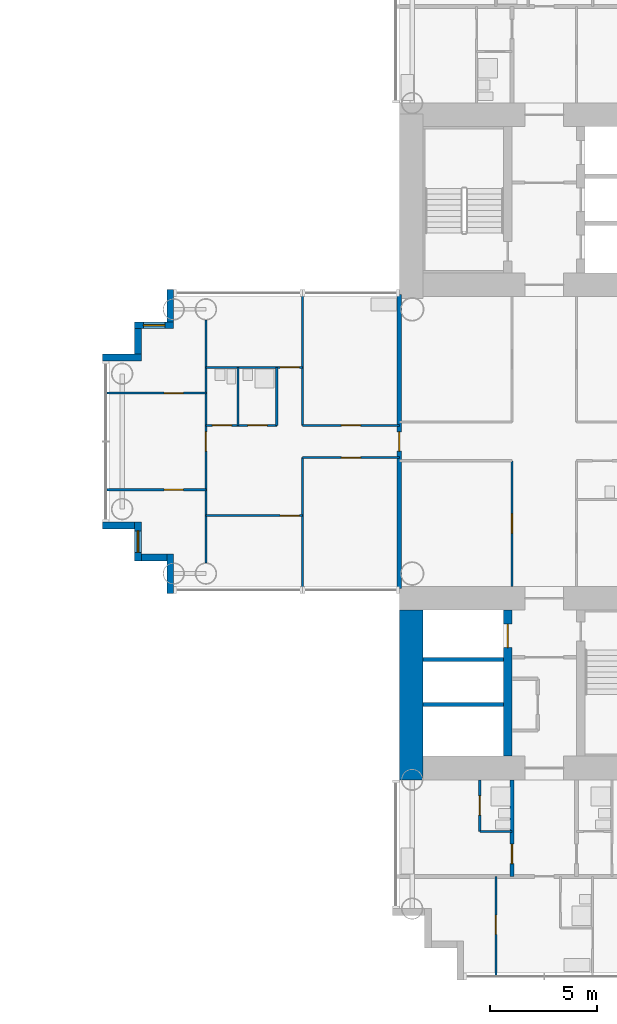
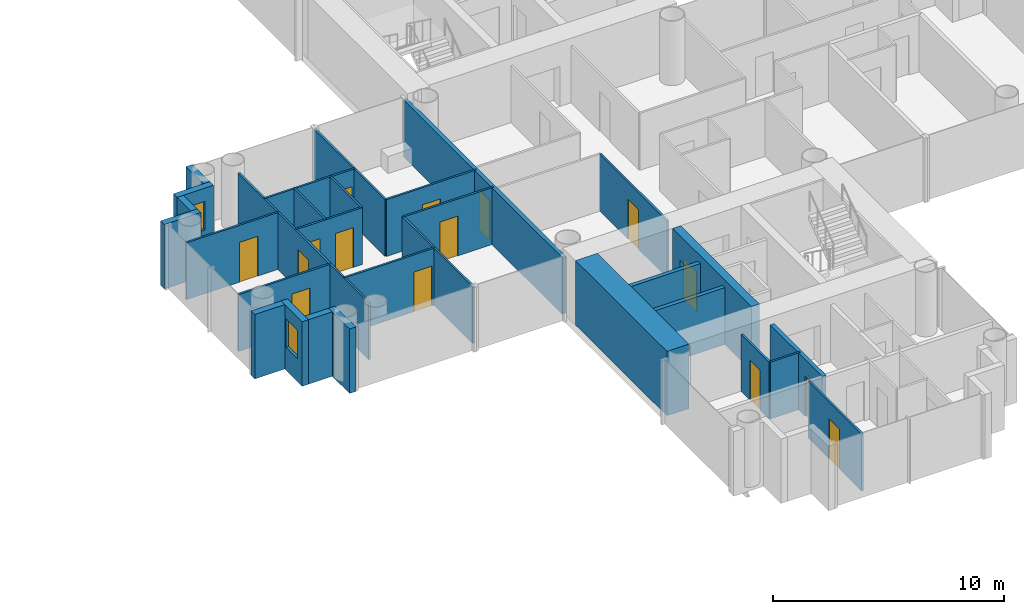
# One storey, part 13 of 22: 30 walls, 15 doors, 2 windows, 17 openings.
"""IFC4 building model written with IfcOpenShell, lengths in metres."""

import ifcopenshell
import ifcopenshell.guid

model = None  # the IFC model being written
_history = None  # IfcOwnerHistory: only IFC2X3 demands one
_inside = {}  # id of a spatial element -> (the spatial element, [elements in it])
_under = {}  # id of a project, library or spatial element -> (it, [spatial elements below it])
_declared = {}  # id of a project -> (the project, [libraries it declares])
_typed = {}  # id of a type object -> (the type object, [elements of that type])
_made_of = {}  # id of a material, layer set ... -> (it, [elements and type objects made of it])


def new_model(schema):
    """Start an empty IFC model of exactly this schema.

    Asked for "IFC4X3", IfcOpenShell would pick the latest addendum, in which some entities
    have other attributes; the version numbers below select the first issue.
    IFC2X3 requires an IfcOwnerHistory on every rooted entity: one is made here for all.
    """
    global model, _history
    if schema == "IFC4X3":
        model = ifcopenshell.file(schema_version=(4, 3, 0, 0))
    else:
        model = ifcopenshell.file(schema=schema)
    _inside.clear()
    _under.clear()
    _declared.clear()
    _typed.clear()
    _made_of.clear()
    _history = None
    if model.schema == "IFC2X3":
        org = make("IfcOrganization", Name="unknown")
        user = make(
            "IfcPersonAndOrganization",
            ThePerson=make("IfcPerson", FamilyName="unknown"),
            TheOrganization=org,
        )
        app = make(
            "IfcApplication",
            ApplicationDeveloper=org,
            Version="unknown",
            ApplicationFullName="unknown",
            ApplicationIdentifier="unknown",
        )
        _history = make(
            "IfcOwnerHistory",
            OwningUser=user,
            OwningApplication=app,
            ChangeAction="ADDED",
            CreationDate=0,
        )
    return model


def make(cls, **values):
    """One entity of the class cls with the attributes given. An attribute that is None is left unset."""
    return model.create_entity(
        cls, **{name: value for name, value in values.items() if value is not None}
    )


def rooted(cls, **values):
    """An entity with a GlobalId (a new one), such as an element, a storey or a relation."""
    return make(cls, GlobalId=ifcopenshell.guid.new(), OwnerHistory=_history, **values)


def si_unit(unit_type, name, prefix=None):
    """IfcSIUnit, for example si_unit("LENGTHUNIT", "METRE", prefix="MILLI")."""
    return make("IfcSIUnit", UnitType=unit_type, Prefix=prefix, Name=name)


def assignment(units):
    """IfcUnitAssignment: the units of a project."""
    return None if units is None else make("IfcUnitAssignment", Units=units)


def point(xyz):
    """IfcCartesianPoint."""
    return None if xyz is None else make("IfcCartesianPoint", Coordinates=xyz)


def direction(xyz):
    """IfcDirection."""
    return None if xyz is None else make("IfcDirection", DirectionRatios=xyz)


def frame(location, z_axis=None, x_axis=None):
    """IfcAxis2Placement3D, a coordinate frame: its origin and axes. An axis left out is left unset."""
    return make(
        "IfcAxis2Placement3D",
        Location=point(location),
        Axis=direction(z_axis),
        RefDirection=direction(x_axis),
    )


def frame_2d(location, x_axis=None):
    """IfcAxis2Placement2D, a coordinate frame in the plane: its origin and x axis."""
    return make(
        "IfcAxis2Placement2D", Location=point(location), RefDirection=direction(x_axis)
    )


def origin():
    """The frame at (0, 0, 0) with its axes left unset."""
    return frame((0.0, 0.0, 0.0))


def place(relative_to, where):
    """IfcLocalPlacement: puts the frame where relative to a parent placement (None: the world)."""
    return make(
        "IfcLocalPlacement", PlacementRelTo=relative_to, RelativePlacement=where
    )


def context(
    kind, dimensions, precision=None, world=None, true_north=None, identifier=None
):
    """IfcGeometricRepresentationContext, for example the 3D "Model" context."""
    return make(
        "IfcGeometricRepresentationContext",
        ContextIdentifier=identifier,
        ContextType=kind,
        CoordinateSpaceDimension=dimensions,
        Precision=precision,
        WorldCoordinateSystem=world,
        TrueNorth=true_north,
    )


def subcontext(parent, identifier, kind, view, scale=None):
    """IfcGeometricRepresentationSubContext, for example "Body" below "Model"."""
    return make(
        "IfcGeometricRepresentationSubContext",
        ContextIdentifier=identifier,
        ContextType=kind,
        ParentContext=parent,
        TargetScale=scale,
        TargetView=view,
    )


def project(units=None, contexts=None):
    """IfcProject with its units and contexts."""
    return rooted(
        "IfcProject",
        Name="project",
        RepresentationContexts=contexts,
        UnitsInContext=assignment(units),
    )


def spatial(cls, under=None, at=None, **own):
    """A site, building, storey or space (cls), placed at a placement, below another one or the project."""
    s = rooted(cls, ObjectPlacement=at, **own)
    if under is not None:
        _under.setdefault(under.id(), (under, []))[1].append(s)
    return s


def profile(cls, at=None, kind="AREA", **sizes):
    """A parametric profile (cls). Its sizes go by their IFC names, for example OverallWidth=200.0."""
    return make(cls, ProfileType=kind, Position=at, **sizes)


def rectangle(**sizes):
    """IfcRectangleProfileDef."""
    return profile("IfcRectangleProfileDef", **sizes)


def extrude(swept, where, along, depth):
    """IfcExtrudedAreaSolid: the profile swept, set in the frame where, extruded along a direction by depth."""
    return make(
        "IfcExtrudedAreaSolid",
        SweptArea=swept,
        Position=where,
        ExtrudedDirection=direction(along),
        Depth=depth,
    )


def shape(context_of_items, identifier, shape_type, items):
    """IfcShapeRepresentation: the items that make up one representation, for example the "Body"."""
    return make(
        "IfcShapeRepresentation",
        ContextOfItems=context_of_items,
        RepresentationIdentifier=identifier,
        RepresentationType=shape_type,
        Items=items,
    )


def material(Name=None, Category=None):
    """IfcMaterial."""
    return make("IfcMaterial", Name=Name, Category=Category)


def layer(
    of_material, thickness, ventilated=None, Name=None, Category=None, Priority=None
):
    """IfcMaterialLayer: one layer of a wall or slab, of a material (None: an air gap)."""
    return make(
        "IfcMaterialLayer",
        Material=of_material,
        LayerThickness=thickness,
        IsVentilated=ventilated,
        Name=Name,
        Category=Category,
        Priority=Priority,
    )


def layer_set(layers, Name=None):
    """IfcMaterialLayerSet."""
    return make("IfcMaterialLayerSet", MaterialLayers=layers, LayerSetName=Name)


def made_of(thing, what):
    """Note that an element or type object is made of a material, layer set ...; save() writes the relation."""
    if what is not None:
        _made_of.setdefault(what.id(), (what, []))[1].append(thing)
    return thing


def type_object(cls, material=None, **own):
    """A type object (cls), such as IfcWallType, which elements share."""
    return made_of(rooted(cls, **own), material)


def element(
    cls,
    number,
    at=None,
    inside=None,
    cuts=None,
    type_object=None,
    material=None,
    context=None,
    identifier="Body",
    shape_type=None,
    held_by="IfcProductDefinitionShape",
    body=None,
    shapes=None,
    **own,
):
    """One element of the class cls, such as IfcWall. Its Tag is "e" and its number.

    at: its placement. inside: the storey or other place that contains it. cuts: it is an
    opening in that element (IfcRelVoidsElement). A single representation is given by context,
    identifier, shape_type and body (its items); several are given by shapes. held_by: the class
    of the entity that holds the representations. save() writes the other relations.
    """
    e = rooted(cls, Tag="e%d" % number, ObjectPlacement=at, **own)
    if body is not None:
        shapes = [shape(context, identifier, shape_type, body)]
    if shapes is not None:
        e.Representation = make(held_by, Representations=shapes)
    if inside is not None:
        _inside.setdefault(inside.id(), (inside, []))[1].append(e)
    if cuts is not None:
        rooted(
            "IfcRelVoidsElement", RelatingBuildingElement=cuts, RelatedOpeningElement=e
        )
    if type_object is not None:
        _typed.setdefault(type_object.id(), (type_object, []))[1].append(e)
    return made_of(e, material)


def fill(opening, filler):
    """IfcRelFillsElement: the door or window that sits in an opening."""
    return rooted(
        "IfcRelFillsElement",
        RelatingOpeningElement=opening,
        RelatedBuildingElement=filler,
    )


def aggregate(whole, parts):
    """IfcRelAggregates: a whole, such as a stair, and the parts it consists of."""
    return rooted("IfcRelAggregates", RelatingObject=whole, RelatedObjects=parts)


def save(model, path):
    """Write the relations noted so far, then the file.

    IfcRelAggregates (storeys below a building ...), IfcRelContainedInSpatialStructure (elements
    in a storey), IfcRelDefinesByType, IfcRelAssociatesMaterial and IfcRelDeclares: one each for
    every whole, place, type object, material and project.
    """
    for whole, parts in _under.values():
        aggregate(whole, parts)
    for where, things in _inside.values():
        rooted(
            "IfcRelContainedInSpatialStructure",
            RelatedElements=things,
            RelatingStructure=where,
        )
    for kind, things in _typed.values():
        rooted("IfcRelDefinesByType", RelatedObjects=things, RelatingType=kind)
    for what, things in _made_of.values():
        rooted("IfcRelAssociatesMaterial", RelatedObjects=things, RelatingMaterial=what)
    for by, libraries in _declared.values():
        rooted("IfcRelDeclares", RelatingContext=by, RelatedDefinitions=libraries)
    model.write(path)


model = new_model("IFC4")

# Units and contexts
model_context = context("Model", 3, precision=1e-05, world=origin(), true_north=direction((0.0, 1.0)))
body_context = subcontext(model_context, "Body", "Model", "MODEL_VIEW")
ifc_project = project(units=[si_unit("LENGTHUNIT", "METRE"), si_unit("AREAUNIT", "SQUARE_METRE"), si_unit("VOLUMEUNIT", "CUBIC_METRE"), si_unit("PLANEANGLEUNIT", "RADIAN"), si_unit("MASSUNIT", "GRAM", prefix="KILO")], contexts=[model_context])

# Site, building, storey
site_placement = place(None, origin())
site = spatial("IfcSite", under=ifc_project, at=site_placement, CompositionType="ELEMENT")
building_placement = place(site_placement, origin())
building = spatial("IfcBuilding", under=site, at=building_placement, Name="Ipe Terrace Towers", CompositionType="ELEMENT")
storey_placement = place(building_placement, frame((0.0, 0.0, 55.10009765625)))
storey = spatial("IfcBuildingStorey", under=building, at=storey_placement, Name="L14", CompositionType="ELEMENT", Elevation=55.10009765625)

# Wall
ifc_material_1 = material(Name="Concrete C40/50 with buff precast cladding", Category="concrete")
ifc_layer_1 = layer(ifc_material_1, 0.320068359375)
ifc_layer_set_1 = layer_set([ifc_layer_1], Name="BUFF CLADDING WALL 320")
wall_type_1 = type_object("IfcWallType", Name="BUFF CLADDING WALL 320", PredefinedType="STANDARD", material=ifc_layer_set_1)
wall_1_placement = place(storey_placement, frame((18.590087890625, 7.070068359375, -0.300048828125), z_axis=(0.0, 0.0, 1.0), x_axis=(0.0, -1.0, 0.0)))
element("IfcWall", 1, at=wall_1_placement, inside=storey, type_object=wall_type_1, Name="T2-W-L14-34a wall", PredefinedType="STANDARD", context=body_context, shape_type="SweptSolid", body=[
    extrude(rectangle(XDim=1.5, YDim=0.320068359375, at=frame_2d((0.75, 0.0))), origin(), (0.0, 0.0, 1.0), 3.39990234375),
])

# Wall, opening, window
wall_2_placement = place(storey_placement, frame((18.75, 5.409912109375, -0.300048828125), z_axis=(0.0, 0.0, 1.0), x_axis=(-1.0, 0.0, 0.0)))
wall_2 = element("IfcWall", 2, at=wall_2_placement, inside=storey, type_object=wall_type_1, Name="T2-W-L14-35a wall", PredefinedType="STANDARD", context=body_context, shape_type="SweptSolid", body=[
    extrude(rectangle(XDim=1.820068359375, YDim=0.320068359375, at=frame_2d((0.91015625, 0.0))), origin(), (0.0, 0.0, 1.0), 3.39990234375),
])
opening_1_placement = place(wall_2_placement, frame((0.409912109375, 0.0, 1.199951171875)))
opening_1 = element("IfcOpeningElement", 3, at=opening_1_placement, cuts=wall_2, Name="Opening T2-W-05-L14-02", PredefinedType="OPENING", context=body_context, shape_type="SweptSolid", body=[
    extrude(rectangle(XDim=1.0, YDim=1.5, at=frame_2d((0.5, 0.75))), frame((0.0, 0.169921875, 0.0), z_axis=(0.0, -1.0, 0.0), x_axis=(1.0, 0.0, 0.0)), (0.0, 0.0, 1.0), 0.340087890625),
])
ifc_material_2 = material(Name="Glass, clear laminated", Category="glass")
window_type = type_object("IfcWindowType", Name="DWELLING WINDOW 1000 x 1500", PartitioningType="SINGLE_PANEL", PredefinedType="WINDOW", material=ifc_material_2)
window_1_placement = place(opening_1_placement, origin())
window_1 = element("IfcWindow", 4, at=window_1_placement, inside=storey, type_object=window_type, Name="W-05 window", OverallHeight=1.5, OverallWidth=1.0, PartitioningType="SINGLE_PANEL", PredefinedType="WINDOW", context=body_context, shape_type="SweptSolid", body=[
    extrude(rectangle(XDim=1.0, YDim=1.5, at=frame_2d((0.5, 0.75))), frame((0.0, 0.030029296875, 0.0), z_axis=(0.0, -1.0, 0.0), x_axis=(1.0, 0.0, 0.0)), (0.0, 0.0, 1.0), 0.06005859375),
])
fill(opening_1, window_1)

# Walls
wall_3_placement = place(storey_placement, frame((17.090087890625, 5.25, -0.300048828125), z_axis=(0.0, 0.0, 1.0), x_axis=(0.0, -1.0, 0.0)))
element("IfcWall", 5, at=wall_3_placement, inside=storey, type_object=wall_type_1, Name="T2-W-L14-36a wall", PredefinedType="STANDARD", context=body_context, shape_type="SweptSolid", body=[
    extrude(rectangle(XDim=1.179931640625, YDim=0.320068359375, at=frame_2d((0.58984375, 0.0))), origin(), (0.0, 0.0, 1.0), 3.39990234375),
])
wall_4_placement = place(storey_placement, frame((17.25, 3.909912109375, -0.300048828125), z_axis=(0.0, 0.0, 1.0), x_axis=(-1.0, 0.0, 0.0)))
element("IfcWall", 6, at=wall_4_placement, inside=storey, type_object=wall_type_1, Name="T2-W-L14-37a wall", PredefinedType="STANDARD", context=body_context, shape_type="SweptSolid", body=[
    extrude(rectangle(XDim=1.820068359375, YDim=0.320068359375, at=frame_2d((0.91015625, 0.0))), origin(), (0.0, 0.0, 1.0), 3.39990234375),
])
wall_5_placement = place(storey_placement, frame((15.429931640625, -3.909912109375, -0.300048828125), z_axis=(0.0, 0.0, 1.0), x_axis=(1.0, 0.0, 0.0)))
element("IfcWall", 7, at=wall_5_placement, inside=storey, type_object=wall_type_1, Name="T2-W-L14-39a wall", PredefinedType="STANDARD", context=body_context, shape_type="SweptSolid", body=[
    extrude(rectangle(XDim=1.5, YDim=0.320068359375, at=frame_2d((0.75, 0.0))), origin(), (0.0, 0.0, 1.0), 3.39990234375),
])

# Wall, opening, window
wall_6_placement = place(storey_placement, frame((17.090087890625, -3.75, -0.300048828125), z_axis=(0.0, 0.0, 1.0), x_axis=(0.0, -1.0, 0.0)))
wall_6 = element("IfcWall", 8, at=wall_6_placement, inside=storey, type_object=wall_type_1, Name="T2-W-L14-40a wall", PredefinedType="STANDARD", context=body_context, shape_type="SweptSolid", body=[
    extrude(rectangle(XDim=1.820068359375, YDim=0.320068359375, at=frame_2d((0.91015625, 0.0))), origin(), (0.0, 0.0, 1.0), 3.39990234375),
])
opening_2_placement = place(wall_6_placement, frame((0.409912109375, 0.0, 1.199951171875)))
opening_2 = element("IfcOpeningElement", 9, at=opening_2_placement, cuts=wall_6, Name="Opening T2-W-05-L14-01", PredefinedType="OPENING", context=body_context, shape_type="SweptSolid", body=[
    extrude(rectangle(XDim=1.0, YDim=1.5, at=frame_2d((0.5, 0.75))), frame((0.0, 0.169921875, 0.0), z_axis=(0.0, -1.0, 0.0), x_axis=(1.0, 0.0, 0.0)), (0.0, 0.0, 1.0), 0.340087890625),
])
window_2_placement = place(opening_2_placement, origin())
window_2 = element("IfcWindow", 10, at=window_2_placement, inside=storey, type_object=window_type, Name="W-05 window", OverallHeight=1.5, OverallWidth=1.0, PartitioningType="SINGLE_PANEL", PredefinedType="WINDOW", context=body_context, shape_type="SweptSolid", body=[
    extrude(rectangle(XDim=1.0, YDim=1.5, at=frame_2d((0.5, 0.75))), frame((0.0, 0.030029296875, 0.0), z_axis=(0.0, -1.0, 0.0), x_axis=(1.0, 0.0, 0.0)), (0.0, 0.0, 1.0), 0.06005859375),
])
fill(opening_2, window_2)

# Walls
wall_7_placement = place(storey_placement, frame((17.25, -5.409912109375, -0.300048828125), z_axis=(0.0, 0.0, 1.0), x_axis=(1.0, 0.0, 0.0)))
element("IfcWall", 11, at=wall_7_placement, inside=storey, type_object=wall_type_1, Name="T2-W-L14-41a wall", PredefinedType="STANDARD", context=body_context, shape_type="SweptSolid", body=[
    extrude(rectangle(XDim=1.179931640625, YDim=0.320068359375, at=frame_2d((0.58984375, 0.0))), origin(), (0.0, 0.0, 1.0), 3.39990234375),
])
wall_8_placement = place(storey_placement, frame((18.590087890625, -5.25, -0.300048828125), z_axis=(0.0, 0.0, 1.0), x_axis=(0.0, -1.0, 0.0)))
element("IfcWall", 12, at=wall_8_placement, inside=storey, type_object=wall_type_1, Name="T2-W-L14-42a wall", PredefinedType="STANDARD", context=body_context, shape_type="SweptSolid", body=[
    extrude(rectangle(XDim=1.820068359375, YDim=0.320068359375, at=frame_2d((0.91015625, 0.0))), origin(), (0.0, 0.0, 1.0), 3.39990234375),
])
ifc_material_3 = material(Name="Gypsum board partition", Category="plasterboard")
ifc_layer_2 = layer(ifc_material_3, 0.10009765625)
ifc_layer_set_2 = layer_set([ifc_layer_2], Name="Gypsum board partition 100 mm")
wall_type_2 = type_object("IfcWallType", Name="Gypsum board partition 100 mm", PredefinedType="PARTITIONING", material=ifc_layer_set_2)
wall_9_placement = place(storey_placement, frame((34.5, -18.14990234375, 0.0), z_axis=(0.0, 0.0, 1.0), x_axis=(-1.0, 0.0, 0.0)))
element("IfcWall", 13, at=wall_9_placement, inside=storey, type_object=wall_type_2, Name="Gypsum board partition T2 L14 W04", PredefinedType="PARTITIONING", context=body_context, shape_type="SweptSolid", body=[
    extrude(rectangle(XDim=1.5, YDim=0.10009765625, at=frame_2d((0.75, 0.0))), origin(), (0.0, 0.0, 1.0), 3.0),
])

# Wall, opening, door
wall_10_placement = place(storey_placement, frame((24.75, -3.449951171875, 0.0), z_axis=(0.0, 0.0, 1.0), x_axis=(-1.0, 0.0, 0.0)))
wall_10 = element("IfcWall", 14, at=wall_10_placement, inside=storey, type_object=wall_type_2, Name="Gypsum board partition T2 L14 W05", PredefinedType="PARTITIONING", context=body_context, shape_type="SweptSolid", body=[
    extrude(rectangle(XDim=4.5, YDim=0.10009765625, at=frame_2d((2.25, 0.0))), origin(), (0.0, 0.0, 1.0), 3.0),
])
opening_3_placement = place(wall_10_placement, frame((0.14990234375, 0.0, 0.0)))
opening_3 = element("IfcOpeningElement", 15, at=opening_3_placement, cuts=wall_10, Name="Opening T2-Z1D-11", PredefinedType="OPENING", context=body_context, shape_type="SweptSolid", body=[
    extrude(rectangle(XDim=0.89990234375, YDim=2.10009765625, at=frame_2d((0.449951171875, 1.050048828125))), frame((0.0, 0.06005859375, 0.0), z_axis=(0.0, -1.0, 0.0), x_axis=(1.0, 0.0, 0.0)), (0.0, 0.0, 1.0), 0.1201171875),
])
ifc_material_4 = material(Name="Timber door leaf", Category="wood")
door_type_1 = type_object("IfcDoorType", Name="Bedroom door 900 x 2100", OperationType="NOTDEFINED", PredefinedType="DOOR", material=ifc_material_4)
door_1_placement = place(opening_3_placement, origin())
door_1 = element("IfcDoor", 16, at=door_1_placement, inside=storey, type_object=door_type_1, Name="Bedroom door T2-Z1D-11", OperationType="SINGLE_SWING_RIGHT", OverallHeight=2.10009765625, OverallWidth=0.89990234375, PredefinedType="DOOR", context=body_context, shape_type="SweptSolid", body=[
    extrude(rectangle(XDim=0.89990234375, YDim=2.10009765625, at=frame_2d((0.449951171875, 1.050048828125))), frame((0.0, 0.02490234375, 0.0), z_axis=(0.0, -1.0, 0.0), x_axis=(1.0, 0.0, 0.0)), (0.0, 0.0, 1.0), 0.050048828125),
])
fill(opening_3, door_1)

wall_11_placement = place(storey_placement, frame((20.25, -2.25, 0.0), z_axis=(0.0, 0.0, 1.0), x_axis=(-1.0, 0.0, 0.0)))
wall_11 = element("IfcWall", 17, at=wall_11_placement, inside=storey, type_object=wall_type_2, Name="Gypsum board partition T2 L14 W07", PredefinedType="PARTITIONING", context=body_context, shape_type="SweptSolid", body=[
    extrude(rectangle(XDim=4.60009765625, YDim=0.10009765625, at=frame_2d((2.300048828125, 0.0))), origin(), (0.0, 0.0, 1.0), 3.0),
])
opening_4_placement = place(wall_11_placement, frame((1.050048828125, 0.0, 0.0)))
opening_4 = element("IfcOpeningElement", 18, at=opening_4_placement, cuts=wall_11, Name="Opening T2-Z1D-14", PredefinedType="OPENING", context=body_context, shape_type="SweptSolid", body=[
    extrude(rectangle(XDim=0.89990234375, YDim=2.10009765625, at=frame_2d((0.449951171875, 1.050048828125))), frame((0.0, 0.06005859375, 0.0), z_axis=(0.0, -1.0, 0.0), x_axis=(1.0, 0.0, 0.0)), (0.0, 0.0, 1.0), 0.1201171875),
])
door_2_placement = place(opening_4_placement, origin())
door_2 = element("IfcDoor", 19, at=door_2_placement, inside=storey, type_object=door_type_1, Name="Bedroom door T2-Z1D-14", OperationType="SINGLE_SWING_RIGHT", OverallHeight=2.10009765625, OverallWidth=0.89990234375, PredefinedType="DOOR", context=body_context, shape_type="SweptSolid", body=[
    extrude(rectangle(XDim=0.89990234375, YDim=2.10009765625, at=frame_2d((0.449951171875, 1.050048828125))), frame((0.0, 0.02490234375, 0.0), z_axis=(0.0, -1.0, 0.0), x_axis=(1.0, 0.0, 0.0)), (0.0, 0.0, 1.0), 0.050048828125),
])
fill(opening_4, door_2)

wall_12_placement = place(storey_placement, frame((29.25, -0.75, 0.0), z_axis=(0.0, 0.0, 1.0), x_axis=(-1.0, 0.0, 0.0)))
wall_12 = element("IfcWall", 20, at=wall_12_placement, inside=storey, type_object=wall_type_2, Name="Gypsum board partition T2 L14 W10", PredefinedType="PARTITIONING", context=body_context, shape_type="SweptSolid", body=[
    extrude(rectangle(XDim=4.5, YDim=0.10009765625, at=frame_2d((2.25, 0.0))), origin(), (0.0, 0.0, 1.0), 3.0),
])
opening_5_placement = place(wall_12_placement, frame((1.800048828125, 0.0, 0.0)))
opening_5 = element("IfcOpeningElement", 21, at=opening_5_placement, cuts=wall_12, Name="Opening T2-Z1D-06", PredefinedType="OPENING", context=body_context, shape_type="SweptSolid", body=[
    extrude(rectangle(XDim=0.89990234375, YDim=2.10009765625, at=frame_2d((0.449951171875, 1.050048828125))), frame((0.0, 0.06005859375, 0.0), z_axis=(0.0, -1.0, 0.0), x_axis=(1.0, 0.0, 0.0)), (0.0, 0.0, 1.0), 0.1201171875),
])
ifc_material_5 = material(Name="Timber door leaf", Category="wood")
door_type_2 = type_object("IfcDoorType", Name="Lounge door 900 x 2100", OperationType="NOTDEFINED", PredefinedType="DOOR", material=ifc_material_5)
door_3_placement = place(opening_5_placement, origin())
door_3 = element("IfcDoor", 22, at=door_3_placement, inside=storey, type_object=door_type_2, Name="Lounge door T2-Z1D-06", OperationType="SINGLE_SWING_LEFT", OverallHeight=2.10009765625, OverallWidth=0.89990234375, PredefinedType="DOOR", context=body_context, shape_type="SweptSolid", body=[
    extrude(rectangle(XDim=0.89990234375, YDim=2.10009765625, at=frame_2d((0.449951171875, 1.050048828125))), frame((0.0, 0.02490234375, 0.0), z_axis=(0.0, -1.0, 0.0), x_axis=(1.0, 0.0, 0.0)), (0.0, 0.0, 1.0), 0.050048828125),
])
fill(opening_5, door_3)

wall_13_placement = place(storey_placement, frame((29.25, 0.75, 0.0), z_axis=(0.0, 0.0, 1.0), x_axis=(-1.0, 0.0, 0.0)))
wall_13 = element("IfcWall", 23, at=wall_13_placement, inside=storey, type_object=wall_type_2, Name="Gypsum board partition T2 L14 W12", PredefinedType="PARTITIONING", context=body_context, shape_type="SweptSolid", body=[
    extrude(rectangle(XDim=4.5, YDim=0.10009765625, at=frame_2d((2.25, 0.0))), origin(), (0.0, 0.0, 1.0), 3.0),
])
opening_6_placement = place(wall_13_placement, frame((1.800048828125, 0.0, 0.0)))
opening_6 = element("IfcOpeningElement", 24, at=opening_6_placement, cuts=wall_13, Name="Opening T2-Z1D-07", PredefinedType="OPENING", context=body_context, shape_type="SweptSolid", body=[
    extrude(rectangle(XDim=0.89990234375, YDim=2.10009765625, at=frame_2d((0.449951171875, 1.050048828125))), frame((0.0, 0.06005859375, 0.0), z_axis=(0.0, -1.0, 0.0), x_axis=(1.0, 0.0, 0.0)), (0.0, 0.0, 1.0), 0.1201171875),
])
door_4_placement = place(opening_6_placement, origin())
door_4 = element("IfcDoor", 25, at=door_4_placement, inside=storey, type_object=door_type_2, Name="Lounge door T2-Z1D-07", OperationType="SINGLE_SWING_RIGHT", OverallHeight=2.10009765625, OverallWidth=0.89990234375, PredefinedType="DOOR", context=body_context, shape_type="SweptSolid", body=[
    extrude(rectangle(XDim=0.89990234375, YDim=2.10009765625, at=frame_2d((0.449951171875, 1.050048828125))), frame((0.0, 0.02490234375, 0.0), z_axis=(0.0, -1.0, 0.0), x_axis=(1.0, 0.0, 0.0)), (0.0, 0.0, 1.0), 0.050048828125),
])
fill(opening_6, door_4)

# Wall, openings, doors
wall_14_placement = place(storey_placement, frame((23.550048828125, 0.75, 0.0), z_axis=(0.0, 0.0, 1.0), x_axis=(-1.0, 0.0, 0.0)))
wall_14 = element("IfcWall", 26, at=wall_14_placement, inside=storey, type_object=wall_type_2, Name="Gypsum board partition T2 L14 W13", PredefinedType="PARTITIONING", context=body_context, shape_type="SweptSolid", body=[
    extrude(rectangle(XDim=3.300048828125, YDim=0.10009765625, at=frame_2d((1.64990234375, 0.0))), origin(), (0.0, 0.0, 1.0), 3.0),
])
opening_7_placement = place(wall_14_placement, frame((0.449951171875, 0.0, 0.0)))
opening_7 = element("IfcOpeningElement", 27, at=opening_7_placement, cuts=wall_14, Name="Opening T2-Z1D-09", PredefinedType="OPENING", context=body_context, shape_type="SweptSolid", body=[
    extrude(rectangle(XDim=0.89990234375, YDim=2.10009765625, at=frame_2d((0.449951171875, 1.050048828125))), frame((0.0, 0.06005859375, 0.0), z_axis=(0.0, -1.0, 0.0), x_axis=(1.0, 0.0, 0.0)), (0.0, 0.0, 1.0), 0.1201171875),
])
opening_8_placement = place(wall_14_placement, frame((2.10009765625, 0.0, 0.0)))
opening_8 = element("IfcOpeningElement", 28, at=opening_8_placement, cuts=wall_14, Name="Opening T2-Z1D-10", PredefinedType="OPENING", context=body_context, shape_type="SweptSolid", body=[
    extrude(rectangle(XDim=0.89990234375, YDim=2.10009765625, at=frame_2d((0.449951171875, 1.050048828125))), frame((0.0, 0.06005859375, 0.0), z_axis=(0.0, -1.0, 0.0), x_axis=(1.0, 0.0, 0.0)), (0.0, 0.0, 1.0), 0.1201171875),
])
ifc_material_6 = material(Name="Timber door leaf", Category="wood")
door_type_3 = type_object("IfcDoorType", Name="Bathroom door 900 x 2100", OperationType="NOTDEFINED", PredefinedType="DOOR", material=ifc_material_6)
door_5_placement = place(opening_7_placement, origin())
door_5 = element("IfcDoor", 29, at=door_5_placement, inside=storey, type_object=door_type_3, Name="Bathroom door T2-Z1D-09", OperationType="SINGLE_SWING_LEFT", OverallHeight=2.10009765625, OverallWidth=0.89990234375, PredefinedType="DOOR", context=body_context, shape_type="SweptSolid", body=[
    extrude(rectangle(XDim=0.89990234375, YDim=2.10009765625, at=frame_2d((0.449951171875, 1.050048828125))), frame((0.0, 0.02490234375, 0.0), z_axis=(0.0, -1.0, 0.0), x_axis=(1.0, 0.0, 0.0)), (0.0, 0.0, 1.0), 0.050048828125),
])
fill(opening_7, door_5)
door_6_placement = place(opening_8_placement, origin())
door_6 = element("IfcDoor", 30, at=door_6_placement, inside=storey, type_object=door_type_3, Name="Bathroom door T2-Z1D-10", OperationType="SINGLE_SWING_RIGHT", OverallHeight=2.10009765625, OverallWidth=0.89990234375, PredefinedType="DOOR", context=body_context, shape_type="SweptSolid", body=[
    extrude(rectangle(XDim=0.89990234375, YDim=2.10009765625, at=frame_2d((0.449951171875, 1.050048828125))), frame((0.0, 0.02490234375, 0.0), z_axis=(0.0, -1.0, 0.0), x_axis=(1.0, 0.0, 0.0)), (0.0, 0.0, 1.0), 0.050048828125),
])
fill(opening_8, door_6)

# Wall, opening, door
wall_15_placement = place(storey_placement, frame((20.25, 2.25, 0.0), z_axis=(0.0, 0.0, 1.0), x_axis=(-1.0, 0.0, 0.0)))
wall_15 = element("IfcWall", 31, at=wall_15_placement, inside=storey, type_object=wall_type_2, Name="Gypsum board partition T2 L14 W18", PredefinedType="PARTITIONING", context=body_context, shape_type="SweptSolid", body=[
    extrude(rectangle(XDim=4.60009765625, YDim=0.10009765625, at=frame_2d((2.300048828125, 0.0))), origin(), (0.0, 0.0, 1.0), 3.0),
])
opening_9_placement = place(wall_15_placement, frame((1.050048828125, 0.0, 0.0)))
opening_9 = element("IfcOpeningElement", 32, at=opening_9_placement, cuts=wall_15, Name="Opening T2-Z1D-15", PredefinedType="OPENING", context=body_context, shape_type="SweptSolid", body=[
    extrude(rectangle(XDim=0.89990234375, YDim=2.10009765625, at=frame_2d((0.449951171875, 1.050048828125))), frame((0.0, 0.06005859375, 0.0), z_axis=(0.0, -1.0, 0.0), x_axis=(1.0, 0.0, 0.0)), (0.0, 0.0, 1.0), 0.1201171875),
])
door_7_placement = place(opening_9_placement, origin())
door_7 = element("IfcDoor", 33, at=door_7_placement, inside=storey, type_object=door_type_1, Name="Bedroom door T2-Z1D-15", OperationType="SINGLE_SWING_LEFT", OverallHeight=2.10009765625, OverallWidth=0.89990234375, PredefinedType="DOOR", context=body_context, shape_type="SweptSolid", body=[
    extrude(rectangle(XDim=0.89990234375, YDim=2.10009765625, at=frame_2d((0.449951171875, 1.050048828125))), frame((0.0, 0.02490234375, 0.0), z_axis=(0.0, -1.0, 0.0), x_axis=(1.0, 0.0, 0.0)), (0.0, 0.0, 1.0), 0.050048828125),
])
fill(opening_9, door_7)

wall_16_placement = place(storey_placement, frame((24.75, 3.449951171875, 0.0), z_axis=(0.0, 0.0, 1.0), x_axis=(-1.0, 0.0, 0.0)))
wall_16 = element("IfcWall", 34, at=wall_16_placement, inside=storey, type_object=wall_type_2, Name="Gypsum board partition T2 L14 W20", PredefinedType="PARTITIONING", context=body_context, shape_type="SweptSolid", body=[
    extrude(rectangle(XDim=4.5, YDim=0.10009765625, at=frame_2d((2.25, 0.0))), origin(), (0.0, 0.0, 1.0), 3.0),
])
opening_10_placement = place(wall_16_placement, frame((0.14990234375, 0.0, 0.0)))
opening_10 = element("IfcOpeningElement", 35, at=opening_10_placement, cuts=wall_16, Name="Opening T2-Z1D-12", PredefinedType="OPENING", context=body_context, shape_type="SweptSolid", body=[
    extrude(rectangle(XDim=0.89990234375, YDim=2.10009765625, at=frame_2d((0.449951171875, 1.050048828125))), frame((0.0, 0.06005859375, 0.0), z_axis=(0.0, -1.0, 0.0), x_axis=(1.0, 0.0, 0.0)), (0.0, 0.0, 1.0), 0.1201171875),
])
door_8_placement = place(opening_10_placement, origin())
door_8 = element("IfcDoor", 36, at=door_8_placement, inside=storey, type_object=door_type_1, Name="Bedroom door T2-Z1D-12", OperationType="SINGLE_SWING_LEFT", OverallHeight=2.10009765625, OverallWidth=0.89990234375, PredefinedType="DOOR", context=body_context, shape_type="SweptSolid", body=[
    extrude(rectangle(XDim=0.89990234375, YDim=2.10009765625, at=frame_2d((0.449951171875, 1.050048828125))), frame((0.0, 0.02490234375, 0.0), z_axis=(0.0, -1.0, 0.0), x_axis=(1.0, 0.0, 0.0)), (0.0, 0.0, 1.0), 0.050048828125),
])
fill(opening_10, door_8)

wall_17_placement = place(storey_placement, frame((34.5, -6.75, 0.0), z_axis=(0.0, 0.0, 1.0), x_axis=(0.0, 1.0, 0.0)))
wall_17 = element("IfcWall", 37, at=wall_17_placement, inside=storey, type_object=wall_type_2, Name="Gypsum board partition T2 L14 W42", PredefinedType="PARTITIONING", context=body_context, shape_type="SweptSolid", body=[
    extrude(rectangle(XDim=5.85009765625, YDim=0.10009765625, at=frame_2d((2.925048828125, 0.0))), origin(), (0.0, 0.0, 1.0), 3.0),
])
opening_11_placement = place(wall_17_placement, frame((2.47509765625, 0.0, 0.0)))
opening_11 = element("IfcOpeningElement", 38, at=opening_11_placement, cuts=wall_17, Name="Opening T2-Z1D-03", PredefinedType="OPENING", context=body_context, shape_type="SweptSolid", body=[
    extrude(rectangle(XDim=0.89990234375, YDim=2.10009765625, at=frame_2d((0.449951171875, 1.050048828125))), frame((0.0, 0.06005859375, 0.0), z_axis=(0.0, -1.0, 0.0), x_axis=(1.0, 0.0, 0.0)), (0.0, 0.0, 1.0), 0.1201171875),
])
door_9_placement = place(opening_11_placement, origin())
door_9 = element("IfcDoor", 39, at=door_9_placement, inside=storey, type_object=door_type_2, Name="Lounge door T2-Z1D-03", OperationType="SINGLE_SWING_RIGHT", OverallHeight=2.10009765625, OverallWidth=0.89990234375, PredefinedType="DOOR", context=body_context, shape_type="SweptSolid", body=[
    extrude(rectangle(XDim=0.89990234375, YDim=2.10009765625, at=frame_2d((0.449951171875, 1.050048828125))), frame((0.0, 0.02490234375, 0.0), z_axis=(0.0, -1.0, 0.0), x_axis=(1.0, 0.0, 0.0)), (0.0, 0.0, 1.0), 0.050048828125),
])
fill(opening_11, door_9)

wall_18_placement = place(storey_placement, frame((33.75, -24.85009765625, 0.0), z_axis=(0.0, 0.0, 1.0), x_axis=(0.0, 1.0, 0.0)))
wall_18 = element("IfcWall", 40, at=wall_18_placement, inside=storey, type_object=wall_type_2, Name="Gypsum board partition T2 L14 W46", PredefinedType="PARTITIONING", context=body_context, shape_type="SweptSolid", body=[
    extrude(rectangle(XDim=4.60009765625, YDim=0.10009765625, at=frame_2d((2.300048828125, 0.0))), origin(), (0.0, 0.0, 1.0), 3.0),
])
opening_12_placement = place(wall_18_placement, frame((1.89990234375, 0.0, 0.0)))
opening_12 = element("IfcOpeningElement", 41, at=opening_12_placement, cuts=wall_18, Name="Opening T2-Z1D-38", PredefinedType="OPENING", context=body_context, shape_type="SweptSolid", body=[
    extrude(rectangle(XDim=0.89990234375, YDim=2.10009765625, at=frame_2d((0.449951171875, 1.050048828125))), frame((0.0, 0.06005859375, 0.0), z_axis=(0.0, -1.0, 0.0), x_axis=(1.0, 0.0, 0.0)), (0.0, 0.0, 1.0), 0.1201171875),
])
door_10_placement = place(opening_12_placement, origin())
door_10 = element("IfcDoor", 42, at=door_10_placement, inside=storey, type_object=door_type_2, Name="Lounge door T2-Z1D-38", OperationType="SINGLE_SWING_LEFT", OverallHeight=2.10009765625, OverallWidth=0.89990234375, PredefinedType="DOOR", context=body_context, shape_type="SweptSolid", body=[
    extrude(rectangle(XDim=0.89990234375, YDim=2.10009765625, at=frame_2d((0.449951171875, 1.050048828125))), frame((0.0, 0.02490234375, 0.0), z_axis=(0.0, -1.0, 0.0), x_axis=(1.0, 0.0, 0.0)), (0.0, 0.0, 1.0), 0.050048828125),
])
fill(opening_12, door_10)

wall_19_placement = place(storey_placement, frame((33.0, -18.14990234375, 0.0), z_axis=(0.0, 0.0, 1.0), x_axis=(0.0, 1.0, 0.0)))
wall_19 = element("IfcWall", 43, at=wall_19_placement, inside=storey, type_object=wall_type_2, Name="Gypsum board partition T2 L14 W48", PredefinedType="PARTITIONING", context=body_context, shape_type="SweptSolid", body=[
    extrude(rectangle(XDim=2.39990234375, YDim=0.10009765625, at=frame_2d((1.199951171875, 0.0))), origin(), (0.0, 0.0, 1.0), 3.0),
])
opening_13_placement = place(wall_19_placement, frame((0.75, 0.0, 0.0)))
opening_13 = element("IfcOpeningElement", 44, at=opening_13_placement, cuts=wall_19, Name="Opening T2-Z1D-34", PredefinedType="OPENING", context=body_context, shape_type="SweptSolid", body=[
    extrude(rectangle(XDim=0.89990234375, YDim=2.10009765625, at=frame_2d((0.449951171875, 1.050048828125))), frame((0.0, 0.06005859375, 0.0), z_axis=(0.0, -1.0, 0.0), x_axis=(1.0, 0.0, 0.0)), (0.0, 0.0, 1.0), 0.1201171875),
])
door_11_placement = place(opening_13_placement, origin())
door_11 = element("IfcDoor", 45, at=door_11_placement, inside=storey, type_object=door_type_3, Name="Bathroom door T2-Z1D-34", OperationType="SINGLE_SWING_RIGHT", OverallHeight=2.10009765625, OverallWidth=0.89990234375, PredefinedType="DOOR", context=body_context, shape_type="SweptSolid", body=[
    extrude(rectangle(XDim=0.89990234375, YDim=2.10009765625, at=frame_2d((0.449951171875, 1.050048828125))), frame((0.0, 0.02490234375, 0.0), z_axis=(0.0, -1.0, 0.0), x_axis=(1.0, 0.0, 0.0)), (0.0, 0.0, 1.0), 0.050048828125),
])
fill(opening_13, door_11)

# Walls
for number, where, z_axis, x_axis, name in (
    (46, (24.75, -6.85009765625, 0.0), (0.0, 0.0, 1.0), (0.0, 1.0, 0.0), "Gypsum board partition T2 L14 W51"),
    (47, (24.75, 0.75, 0.0), (0.0, 0.0, 1.0), (0.0, 1.0, 0.0), "Gypsum board partition T2 L14 W52"),
):
    element("IfcWall", number, at=place(storey_placement, frame(where, z_axis=z_axis, x_axis=x_axis)), inside=storey, type_object=wall_type_2, Name=name, PredefinedType="PARTITIONING", context=body_context, shape_type="SweptSolid", body=[
        extrude(rectangle(XDim=6.10009765625, YDim=0.10009765625, at=frame_2d((3.050048828125, 0.0))), origin(), (0.0, 0.0, 1.0), 3.0),
    ])
for number, where, z_axis, x_axis, name in (
    (48, (23.550048828125, 0.75, 0.0), (0.0, 0.0, 1.0), (0.0, 1.0, 0.0), "Gypsum board partition T2 L14 W53"),
    (49, (21.75, 0.75, 0.0), (0.0, 0.0, 1.0), (0.0, 1.0, 0.0), "Gypsum board partition T2 L14 W54"),
):
    element("IfcWall", number, at=place(storey_placement, frame(where, z_axis=z_axis, x_axis=x_axis)), inside=storey, type_object=wall_type_2, Name=name, PredefinedType="PARTITIONING", context=body_context, shape_type="SweptSolid", body=[
        extrude(rectangle(XDim=2.699951171875, YDim=0.10009765625, at=frame_2d((1.35009765625, 0.0))), origin(), (0.0, 0.0, 1.0), 3.0),
    ])

# Wall, opening, door
wall_20_placement = place(storey_placement, frame((20.25, -5.64990234375, 0.0), z_axis=(0.0, 0.0, 1.0), x_axis=(0.0, 1.0, 0.0)))
wall_20 = element("IfcWall", 50, at=wall_20_placement, inside=storey, type_object=wall_type_2, Name="Gypsum board partition T2 L14 W55", PredefinedType="PARTITIONING", context=body_context, shape_type="SweptSolid", body=[
    extrude(rectangle(XDim=11.2998046875, YDim=0.10009765625, at=frame_2d((5.64990234375, 0.0))), origin(), (0.0, 0.0, 1.0), 3.0),
])
opening_14_placement = place(wall_20_placement, frame((5.199951171875, 0.0, 0.0)))
opening_14 = element("IfcOpeningElement", 51, at=opening_14_placement, cuts=wall_20, Name="Opening T2-Z1D-13", PredefinedType="OPENING", context=body_context, shape_type="SweptSolid", body=[
    extrude(rectangle(XDim=0.89990234375, YDim=2.10009765625, at=frame_2d((0.449951171875, 1.050048828125))), frame((0.0, 0.06005859375, 0.0), z_axis=(0.0, -1.0, 0.0), x_axis=(1.0, 0.0, 0.0)), (0.0, 0.0, 1.0), 0.1201171875),
])
door_12_placement = place(opening_14_placement, origin())
door_12 = element("IfcDoor", 52, at=door_12_placement, inside=storey, type_object=door_type_2, Name="Lounge door T2-Z1D-13", OperationType="SINGLE_SWING_LEFT", OverallHeight=2.10009765625, OverallWidth=0.89990234375, PredefinedType="DOOR", context=body_context, shape_type="SweptSolid", body=[
    extrude(rectangle(XDim=0.89990234375, YDim=2.10009765625, at=frame_2d((0.449951171875, 1.050048828125))), frame((0.0, 0.02490234375, 0.0), z_axis=(0.0, -1.0, 0.0), x_axis=(1.0, 0.0, 0.0)), (0.0, 0.0, 1.0), 0.050048828125),
])
fill(opening_14, door_12)

# Walls
ifc_material_7 = material(Name="Gypsum board party wall", Category="plasterboard")
ifc_layer_3 = layer(ifc_material_7, 0.199951171875)
ifc_layer_set_3 = layer_set([ifc_layer_3], Name="Gypsum board party wall 200 mm")
wall_type_3 = type_object("IfcWallType", Name="Gypsum board party wall 200 mm", PredefinedType="SOLIDWALL", material=ifc_layer_set_3)
for number, where, z_axis, x_axis, name in (
    (53, (30.35009765625, -10.14990234375, 0.0), (0.0, 0.0, 1.0), (1.0, 0.0, 0.0), "Gypsum board party wall T2 L14 t2c2-shaft-div1"),
    (54, (30.35009765625, -12.25, 0.0), (0.0, 0.0, 1.0), (1.0, 0.0, 0.0), "Gypsum board party wall T2 L14 t2c2-shaft-div2"),
):
    element("IfcWall", number, at=place(storey_placement, frame(where, z_axis=z_axis, x_axis=x_axis)), inside=storey, type_object=wall_type_3, Name=name, PredefinedType="SOLIDWALL", context=body_context, shape_type="SweptSolid", body=[
        extrude(rectangle(XDim=3.75, YDim=0.199951171875, at=frame_2d((1.875, 0.0))), origin(), (0.0, 0.0, 1.0), 3.0),
    ])

# Wall, opening, door
wall_21_placement = place(storey_placement, frame((34.5, -20.25, 0.0), z_axis=(0.0, 0.0, 1.0), x_axis=(0.0, 1.0, 0.0)))
wall_21 = element("IfcWall", 55, at=wall_21_placement, inside=storey, type_object=wall_type_3, Name="Gypsum board party wall T2 L14 W44", PredefinedType="SOLIDWALL", context=body_context, shape_type="SweptSolid", body=[
    extrude(rectangle(XDim=4.5, YDim=0.199951171875, at=frame_2d((2.25, 0.0))), origin(), (0.0, 0.0, 1.0), 3.0),
])
opening_15_placement = place(wall_21_placement, frame((0.60009765625, 0.0, 0.0)))
opening_15 = element("IfcOpeningElement", 56, at=opening_15_placement, cuts=wall_21, Name="Opening T2-Z1D-33", PredefinedType="OPENING", context=body_context, shape_type="SweptSolid", body=[
    extrude(rectangle(XDim=0.89990234375, YDim=2.10009765625, at=frame_2d((0.449951171875, 1.050048828125))), frame((0.0, 0.10986328125, 0.0), z_axis=(0.0, -1.0, 0.0), x_axis=(1.0, 0.0, 0.0)), (0.0, 0.0, 1.0), 0.219970703125),
])
ifc_material_8 = material(Name="Fire-rated timber door leaf", Category="wood")
door_type_4 = type_object("IfcDoorType", Name="Flat entrance door 900 x 2100 FD30S", OperationType="NOTDEFINED", PredefinedType="DOOR", material=ifc_material_8)
door_13_placement = place(opening_15_placement, origin())
door_13 = element("IfcDoor", 57, at=door_13_placement, inside=storey, type_object=door_type_4, Name="Flat entrance door T2-Z1D-33", OperationType="SINGLE_SWING_RIGHT", OverallHeight=2.10009765625, OverallWidth=0.89990234375, PredefinedType="DOOR", context=body_context, shape_type="SweptSolid", body=[
    extrude(rectangle(XDim=0.89990234375, YDim=2.10009765625, at=frame_2d((0.449951171875, 1.050048828125))), frame((0.0, 0.02490234375, 0.0), z_axis=(0.0, -1.0, 0.0), x_axis=(1.0, 0.0, 0.0)), (0.0, 0.0, 1.0), 0.050048828125),
])
fill(opening_15, door_13)

wall_22_placement = place(storey_placement, frame((29.25, -6.85009765625, 0.0), z_axis=(0.0, 0.0, 1.0), x_axis=(0.0, 1.0, 0.0)))
wall_22 = element("IfcWall", 58, at=wall_22_placement, inside=storey, type_object=wall_type_3, Name="Gypsum board party wall T2 L14 W50", PredefinedType="SOLIDWALL", context=body_context, shape_type="SweptSolid", body=[
    extrude(rectangle(XDim=13.7001953125, YDim=0.199951171875, at=frame_2d((6.85009765625, 0.0))), origin(), (0.0, 0.0, 1.0), 3.0),
])
opening_16_placement = place(wall_22_placement, frame((6.39990234375, 0.0, 0.0)))
opening_16 = element("IfcOpeningElement", 59, at=opening_16_placement, cuts=wall_22, Name="Opening T2-Z1D-08", PredefinedType="OPENING", context=body_context, shape_type="SweptSolid", body=[
    extrude(rectangle(XDim=0.89990234375, YDim=2.10009765625, at=frame_2d((0.449951171875, 1.050048828125))), frame((0.0, 0.10986328125, 0.0), z_axis=(0.0, -1.0, 0.0), x_axis=(1.0, 0.0, 0.0)), (0.0, 0.0, 1.0), 0.219970703125),
])
door_14_placement = place(opening_16_placement, origin())
door_14 = element("IfcDoor", 60, at=door_14_placement, inside=storey, type_object=door_type_4, Name="Flat entrance door T2-Z1D-08", OperationType="SINGLE_SWING_LEFT", OverallHeight=2.10009765625, OverallWidth=0.89990234375, PredefinedType="DOOR", context=body_context, shape_type="SweptSolid", body=[
    extrude(rectangle(XDim=0.89990234375, YDim=2.10009765625, at=frame_2d((0.449951171875, 1.050048828125))), frame((0.0, 0.02490234375, 0.0), z_axis=(0.0, -1.0, 0.0), x_axis=(1.0, 0.0, 0.0)), (0.0, 0.0, 1.0), 0.050048828125),
])
fill(opening_16, door_14)

# Wall
ifc_material_9 = material(Name="Concrete C60/75", Category="concrete")
ifc_layer_4 = layer(ifc_material_9, 1.10009765625)
ifc_layer_set_4 = layer_set([ifc_layer_4], Name="RW1100 CORE WALL 1100 C60-75")
wall_type_4 = type_object("IfcWallType", Name="RW1100 CORE WALL 1100 C60-75", PredefinedType="SHEAR", material=ifc_layer_set_4)
wall_23_placement = place(storey_placement, frame((29.800048828125, -7.85009765625, 0.0), z_axis=(0.0, 0.0, 1.0), x_axis=(0.0, -1.0, 0.0)))
element("IfcWall", 61, at=wall_23_placement, inside=storey, type_object=wall_type_4, Name="Core wall T2-C2-Z1-W04", PredefinedType="SHEAR", context=body_context, shape_type="SweptSolid", body=[
    extrude(rectangle(XDim=7.89990234375, YDim=1.10009765625, at=frame_2d((3.949951171875, 0.0))), origin(), (0.0, 0.0, 1.0), 3.39990234375),
])

# Wall, opening, door
ifc_material_10 = material(Name="Concrete C60/75", Category="concrete")
ifc_layer_5 = layer(ifc_material_10, 0.39990234375)
ifc_layer_set_5 = layer_set([ifc_layer_5], Name="RW400 CORE SPINE WALL 400 C60-75")
wall_type_5 = type_object("IfcWallType", Name="RW400 CORE SPINE WALL 400 C60-75", PredefinedType="SHEAR", material=ifc_layer_set_5)
wall_24_placement = place(storey_placement, frame((34.300048828125, -14.64990234375, 0.0), z_axis=(0.0, 0.0, 1.0), x_axis=(0.0, 1.0, 0.0)))
wall_24 = element("IfcWall", 62, at=wall_24_placement, inside=storey, type_object=wall_type_5, Name="Core spine wall T2-C2-Z1-SW1", PredefinedType="SHEAR", context=body_context, shape_type="SweptSolid", body=[
    extrude(rectangle(XDim=6.7998046875, YDim=0.39990234375, at=frame_2d((3.39990234375, 0.0))), origin(), (0.0, 0.0, 1.0), 3.39990234375),
])
opening_17_placement = place(wall_24_placement, frame((5.050048828125, 0.0, 0.0)))
opening_17 = element("IfcOpeningElement", 63, at=opening_17_placement, cuts=wall_24, Name="Opening T2C2-LD1", PredefinedType="OPENING", context=body_context, shape_type="SweptSolid", body=[
    extrude(rectangle(XDim=1.10009765625, YDim=2.10009765625, at=frame_2d((0.550048828125, 1.050048828125))), frame((0.0, 0.2099609375, 0.0), z_axis=(0.0, -1.0, 0.0), x_axis=(1.0, 0.0, 0.0)), (0.0, 0.0, 1.0), 0.419921875),
])
ifc_material_11 = material(Name="Fire-rated timber door leaf", Category="wood")
door_type_5 = type_object("IfcDoorType", Name="Sliding door 1100 x 2100 FD60", OperationType="SLIDING_TO_LEFT", PredefinedType="DOOR", material=ifc_material_11)
door_15_placement = place(opening_17_placement, origin())
door_15 = element("IfcDoor", 64, at=door_15_placement, inside=storey, type_object=door_type_5, Name="Sliding door T2C2-LD1", OperationType="SLIDING_TO_LEFT", OverallHeight=2.10009765625, OverallWidth=1.10009765625, PredefinedType="DOOR", context=body_context, shape_type="SweptSolid", body=[
    extrude(rectangle(XDim=1.10009765625, YDim=2.10009765625, at=frame_2d((0.550048828125, 1.050048828125))), frame((0.0, 0.02490234375, 0.0), z_axis=(0.0, -1.0, 0.0), x_axis=(1.0, 0.0, 0.0)), (0.0, 0.0, 1.0), 0.050048828125),
])
fill(opening_17, door_15)

save(model, "model.ifc")
